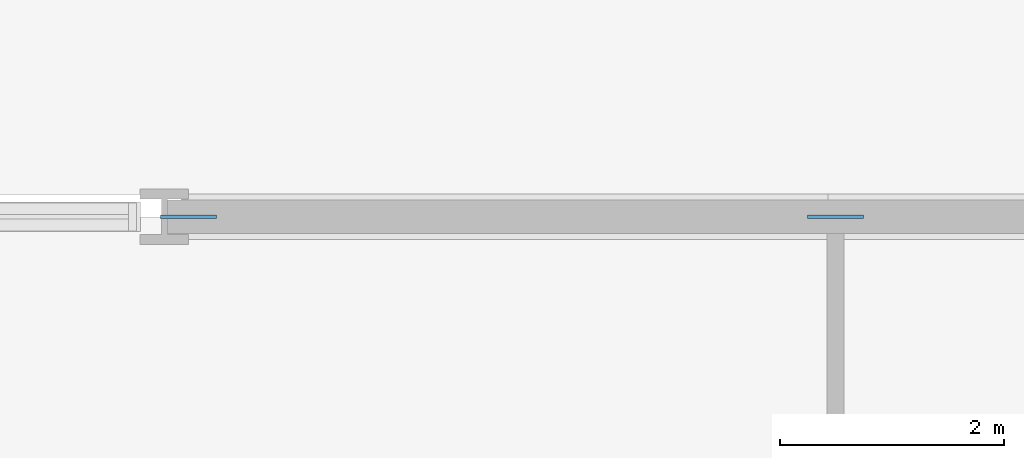
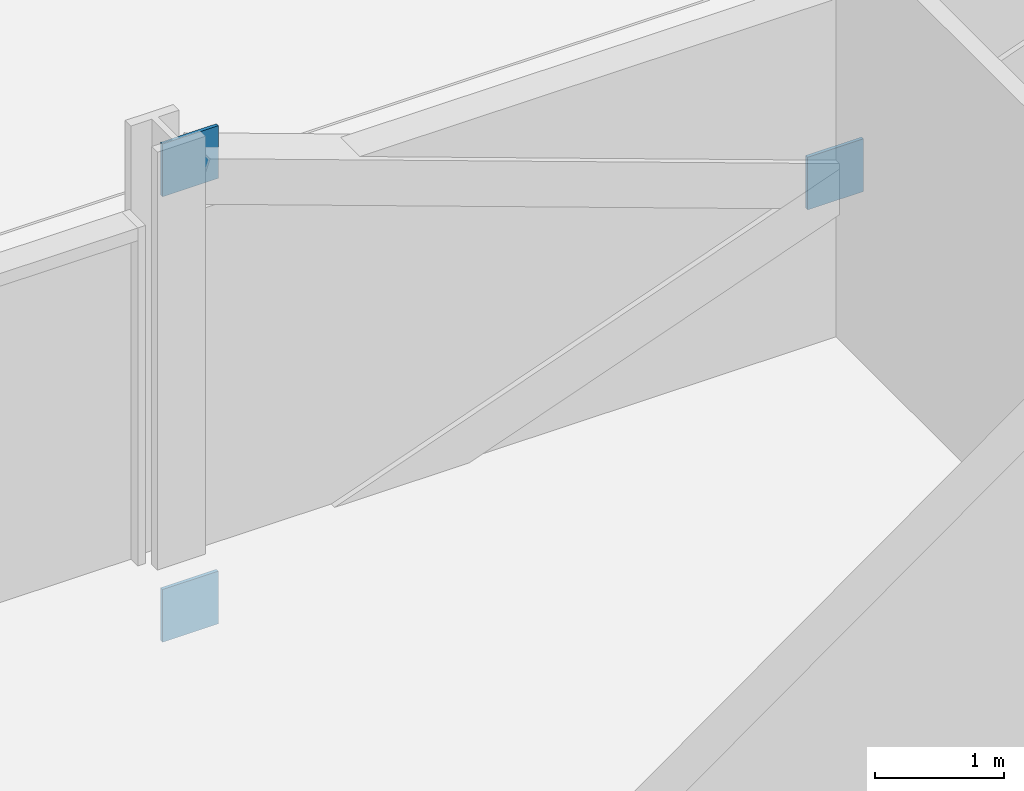
# One storey, part 23 of 39: 3 discrete accessories.
"""IFC4 building model written with IfcOpenShell, lengths in metres."""

from ifc_helpers import new_model, si_unit, direction, frame, origin, origin_2d, place, context, subcontext, project, spatial, rectangle, extrude, material, layer, layer_set, type_object, element, save


model = new_model("IFC4")

# Units and contexts
model_context = context("Model", 3, precision=1e-05, world=origin(), true_north=direction((0.0, 1.0)))
body_context = subcontext(model_context, "Body", "Model", "MODEL_VIEW")
ifc_project = project(units=[si_unit("LENGTHUNIT", "METRE"), si_unit("AREAUNIT", "SQUARE_METRE"), si_unit("VOLUMEUNIT", "CUBIC_METRE"), si_unit("PLANEANGLEUNIT", "RADIAN"), si_unit("MASSUNIT", "GRAM", prefix="KILO")], contexts=[model_context])

# Site, building, storey
site_placement = place(None, origin())
site = spatial("IfcSite", under=ifc_project, at=site_placement, CompositionType="ELEMENT")
building_placement = place(site_placement, origin())
building = spatial("IfcBuilding", under=site, at=building_placement, Name="Mahtab Terrace Research Tower", CompositionType="ELEMENT")
storey_placement = place(building_placement, frame((0.0, 0.0, 7.199951171875)))
storey = spatial("IfcBuildingStorey", under=building, at=storey_placement, Name="L01", CompositionType="ELEMENT", Elevation=7.199951171875)

# Discrete accessories
ifc_material = material(Name="Steel ASTM A992 Gr 50", Category="steel")
ifc_layer = layer(ifc_material, 0.030029296875)
ifc_layer_set = layer_set([ifc_layer], Name="Gusset plate 500x500x30")
discrete_accessory_type = type_object("IfcDiscreteAccessoryType", Name="Gusset plate 500x500x30", PredefinedType="USERDEFINED", material=ifc_layer_set)
for number, where, z_axis, x_axis, name in (
    (1, (-5.7841796875, 23.0, -0.89111328125), (0.0, 0.0, 1.0), (1.0, 0.0, 0.0), "Gusset plate"),
    (2, (-5.7841796875, 23.0, 3.33154296875), (0.0, 0.0, 1.0), (1.0, 0.0, 0.0), "Gusset plate"),
    (3, (0.0, 23.0, 1.181640625), (0.0, 0.0, 1.0), (1.0, 0.0, 0.0), "Gusset plate"),
):
    element("IfcDiscreteAccessory", number, at=place(storey_placement, frame(where, z_axis=z_axis, x_axis=x_axis)), inside=storey, type_object=discrete_accessory_type, Name=name, ObjectType="GUSSET PLATE", PredefinedType="USERDEFINED", context=body_context, shape_type="SweptSolid", body=[
        extrude(rectangle(XDim=0.5, YDim=0.030029296875, at=origin_2d()), origin(), (0.0, 0.0, 1.0), 0.5),
    ])

save(model, "model.ifc")
